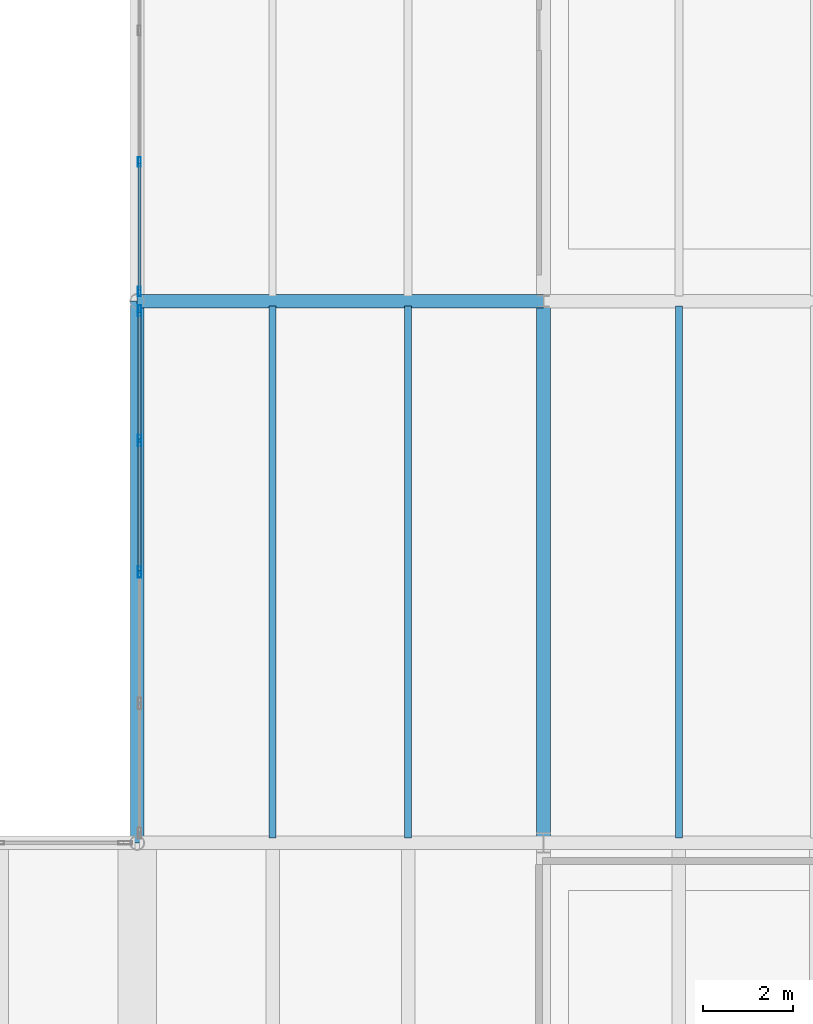
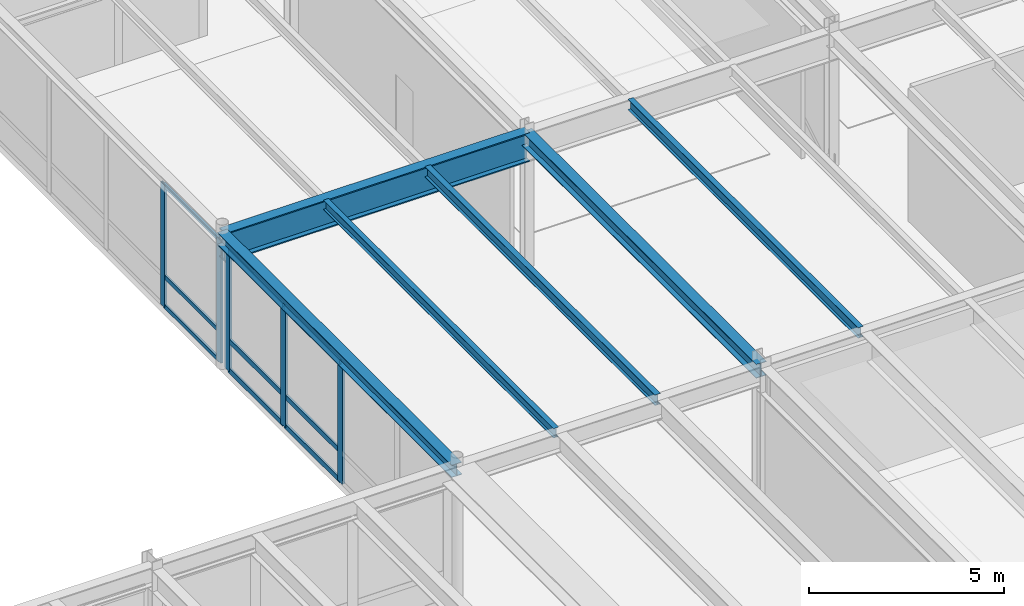
# One storey, part 43 of 127: 14 members, 6 beams, 2 elements without a shape of their own.
"""IFC4 building model written with IfcOpenShell, lengths in metres."""

from ifc_helpers import new_model, si_unit, direction, frame, origin, origin_2d, place, context, subcontext, project, spatial, hollow_rectangle, i_section, extrude, material, layer, layer_set, material_profile, profile_set, type_object, element, aggregate, save


model = new_model("IFC4")

# Units and contexts
model_context = context("Model", 3, precision=1e-05, world=origin(), true_north=direction((0.0, 1.0)))
body_context = subcontext(model_context, "Body", "Model", "MODEL_VIEW")
ifc_project = project(units=[si_unit("LENGTHUNIT", "METRE"), si_unit("AREAUNIT", "SQUARE_METRE"), si_unit("VOLUMEUNIT", "CUBIC_METRE"), si_unit("PLANEANGLEUNIT", "RADIAN"), si_unit("MASSUNIT", "GRAM", prefix="KILO")], contexts=[model_context])

# Site, building, storey
site_placement = place(None, origin())
site = spatial("IfcSite", under=ifc_project, at=site_placement, CompositionType="ELEMENT")
building_placement = place(site_placement, origin())
building = spatial("IfcBuilding", under=site, at=building_placement, Name="Montelvaro Courts of Justice", CompositionType="ELEMENT")
storey_placement = place(building_placement, frame((0.0, 0.0, 5.39990234375)))
storey = spatial("IfcBuildingStorey", under=building, at=storey_placement, Name="L01", CompositionType="ELEMENT", Elevation=5.39990234375)

# Beams
ifc_material_1 = material(Name="Steel S355", Category="steel")
ifc_material_profile_1 = material_profile(ifc_material_1, i_section(OverallWidth=0.300048828125, OverallDepth=0.389892578125, WebThickness=0.010986328125, FlangeThickness=0.01904296875, at=origin_2d()), Name="HEA 400")
ifc_profile_set_1 = profile_set([ifc_material_profile_1], Name="Steel S355")
beam_type_1 = type_object("IfcBeamType", Name="Beam_HEA400", PredefinedType="USERDEFINED", material=ifc_profile_set_1)
beam_1_placement = place(storey_placement, frame((99.0, 42.0, 4.025146484375), z_axis=(0.0, 1.0, 0.0), x_axis=(-1.0, 0.0, 0.0)))
element("IfcBeam", 1, at=beam_1_placement, inside=storey, type_object=beam_type_1, Name="Beam B-17 L01", ObjectType="GIRDER", PredefinedType="USERDEFINED", context=body_context, shape_type="SweptSolid", body=[
    extrude(i_section(OverallWidth=0.300048828125, OverallDepth=0.389892578125, WebThickness=0.010986328125, FlangeThickness=0.01904296875, at=origin_2d()), origin(), (0.0, 0.0, 1.0), 12.0),
])
ifc_material_profile_2 = material_profile(ifc_material_1, i_section(OverallWidth=0.300048828125, OverallDepth=0.43994140625, WebThickness=0.011474609375, FlangeThickness=0.02099609375, at=origin_2d()), Name="HEA 450")
ifc_profile_set_2 = profile_set([ifc_material_profile_2], Name="Steel S355")
beam_type_2 = type_object("IfcBeamType", Name="Beam_HEA450", PredefinedType="USERDEFINED", material=ifc_profile_set_2)
beam_2_placement = place(storey_placement, frame((108.0, 42.0, 4.0), z_axis=(0.0, 1.0, 0.0), x_axis=(-1.0, 0.0, 0.0)))
element("IfcBeam", 2, at=beam_2_placement, inside=storey, type_object=beam_type_2, Name="Beam B-18 L01", ObjectType="GIRDER", PredefinedType="USERDEFINED", context=body_context, shape_type="SweptSolid", body=[
    extrude(i_section(OverallWidth=0.300048828125, OverallDepth=0.43994140625, WebThickness=0.011474609375, FlangeThickness=0.02099609375, at=origin_2d()), origin(), (0.0, 0.0, 1.0), 12.0),
])
ifc_material_profile_3 = material_profile(ifc_material_1, i_section(OverallWidth=0.300048828125, OverallDepth=0.89990234375, WebThickness=0.0185546875, FlangeThickness=0.034912109375, at=origin_2d()), Name="HEB 900")
ifc_profile_set_3 = profile_set([ifc_material_profile_3], Name="Steel S355")
beam_type_3 = type_object("IfcBeamType", Name="Beam_HEB900", PredefinedType="USERDEFINED", material=ifc_profile_set_3)
beam_3_placement = place(storey_placement, frame((99.0, 54.0, 3.77001953125), z_axis=(1.0, 0.0, 0.0), x_axis=(0.0, 1.0, 0.0)))
element("IfcBeam", 3, at=beam_3_placement, inside=storey, type_object=beam_type_3, Name="Beam B-30 L01", ObjectType="GIRDER", PredefinedType="USERDEFINED", context=body_context, shape_type="SweptSolid", body=[
    extrude(i_section(OverallWidth=0.300048828125, OverallDepth=0.89990234375, WebThickness=0.0185546875, FlangeThickness=0.034912109375, at=origin_2d()), origin(), (0.0, 0.0, 1.0), 9.0),
])
ifc_material_profile_4 = material_profile(ifc_material_1, i_section(OverallWidth=0.14990234375, OverallDepth=0.300048828125, WebThickness=0.007080078125, FlangeThickness=0.0107421875, at=origin_2d()), Name="IPE 300")
ifc_profile_set_4 = profile_set([ifc_material_profile_4], Name="Steel S355")
beam_type_4 = type_object("IfcBeamType", Name="Beam_IPE300", PredefinedType="BEAM", material=ifc_profile_set_4)
beam_4_placement = place(storey_placement, frame((102.0, 42.110107421875, 4.070068359375), z_axis=(0.0, 1.0, 0.0), x_axis=(-1.0, 0.0, 0.0)))
element("IfcBeam", 4, at=beam_4_placement, inside=storey, type_object=beam_type_4, Name="Beam B-05 L01", PredefinedType="BEAM", context=body_context, shape_type="SweptSolid", body=[
    extrude(i_section(OverallWidth=0.14990234375, OverallDepth=0.300048828125, WebThickness=0.007080078125, FlangeThickness=0.0107421875, at=origin_2d()), origin(), (0.0, 0.0, 1.0), 11.77978515625),
])
ifc_material_profile_5 = material_profile(ifc_material_1, i_section(OverallWidth=0.159912109375, OverallDepth=0.330078125, WebThickness=0.007568359375, FlangeThickness=0.011474609375, at=origin_2d()), Name="IPE 330")
ifc_profile_set_5 = profile_set([ifc_material_profile_5], Name="Steel S355")
beam_type_5 = type_object("IfcBeamType", Name="Beam_IPE330", PredefinedType="BEAM", material=ifc_profile_set_5)
for number, where, z_axis, x_axis, name in (
    (5, (105.0, 42.110107421875, 4.05517578125), (0.0, 1.0, 0.0), (-1.0, 0.0, 0.0), "Beam B-06 L01"),
    (6, (111.0, 42.110107421875, 4.05517578125), (0.0, 1.0, 0.0), (-1.0, 0.0, 0.0), "Beam B-06 L01"),
):
    element("IfcBeam", number, at=place(storey_placement, frame(where, z_axis=z_axis, x_axis=x_axis)), inside=storey, type_object=beam_type_5, Name=name, PredefinedType="BEAM", context=body_context, shape_type="SweptSolid", body=[
        extrude(i_section(OverallWidth=0.159912109375, OverallDepth=0.330078125, WebThickness=0.007568359375, FlangeThickness=0.011474609375, at=origin_2d()), origin(), (0.0, 0.0, 1.0), 11.77978515625),
    ])

# Curtain wall, members
ifc_material_2 = material(Name="Anodised aluminium EN AW-6063", Category="aluminium")
ifc_layer = layer(ifc_material_2, 0.159912109375)
ifc_layer_set = layer_set([ifc_layer], Name="Anodised aluminium EN AW-6063")
curtain_wall_type = type_object("IfcCurtainWallType", Name="CurtainWall_16_1165x418", PredefinedType="USERDEFINED", material=ifc_layer_set)
curtain_wall_1_placement = place(storey_placement, origin())
curtain_wall_1 = element("IfcCurtainWall", 7, at=curtain_wall_1_placement, inside=storey, type_object=curtain_wall_type, Name="Curtain Wall CW-16 (L01)", ObjectType="CURTAIN WALL", PredefinedType="USERDEFINED")
ifc_material_profile_6 = material_profile(ifc_material_2, hollow_rectangle(XDim=0.06494140625, YDim=0.2099609375, WallThickness=0.0048828125, at=origin_2d()), Name="ALU-M 65x210")
ifc_profile_set_6 = profile_set([ifc_material_profile_6], Name="Anodised aluminium EN AW-6063")
member_type_1 = type_object("IfcMemberType", Name="CurtainWall_Mullion_65x210", PredefinedType="MULLION", material=ifc_profile_set_6)
member_1_placement = place(storey_placement, frame((99.050048828125, 57.08447265625, 0.0), z_axis=(0.0, 0.0, 1.0), x_axis=(1.0, 0.0, 0.0)))
member_1 = element("IfcMember", 8, at=member_1_placement, type_object=member_type_1, Name="CW-16 mullion 4", PredefinedType="MULLION", context=body_context, shape_type="SweptSolid", body=[
    extrude(hollow_rectangle(XDim=0.06494140625, YDim=0.2099609375, WallThickness=0.0048828125, at=origin_2d()), origin(), (0.0, 0.0, 1.0), 3.8251953125),
])
member_2_placement = place(storey_placement, frame((99.050048828125, 54.20947265625, 0.0), z_axis=(0.0, 0.0, 1.0), x_axis=(1.0, 0.0, 0.0)))
member_2 = element("IfcMember", 9, at=member_2_placement, type_object=member_type_1, Name="CW-16 mullion 5", PredefinedType="MULLION", context=body_context, shape_type="SweptSolid", body=[
    extrude(hollow_rectangle(XDim=0.06494140625, YDim=0.2099609375, WallThickness=0.0048828125, at=origin_2d()), origin(), (0.0, 0.0, 1.0), 3.8251953125),
])

curtain_wall_2_placement = place(storey_placement, origin())
curtain_wall_2 = element("IfcCurtainWall", 10, at=curtain_wall_2_placement, inside=storey, type_object=curtain_wall_type, Name="Curtain Wall CW-16 (L01)", ObjectType="CURTAIN WALL", PredefinedType="USERDEFINED")
ifc_material_profile_7 = material_profile(ifc_material_2, hollow_rectangle(XDim=0.074951171875, YDim=0.25, WallThickness=0.005615234375, at=origin_2d()), Name="ALU-M 75x250")
ifc_profile_set_7 = profile_set([ifc_material_profile_7], Name="Anodised aluminium EN AW-6063")
member_type_2 = type_object("IfcMemberType", Name="CurtainWall_Mullion_75x250", PredefinedType="MULLION", material=ifc_profile_set_7)
member_3_placement = place(storey_placement, frame((99.050048828125, 53.78564453125, 0.0), z_axis=(0.0, 0.0, 1.0), x_axis=(1.0, 0.0, 0.0)))
member_3 = element("IfcMember", 11, at=member_3_placement, type_object=member_type_2, Name="CW-16 mullion 1", PredefinedType="MULLION", context=body_context, shape_type="SweptSolid", body=[
    extrude(hollow_rectangle(XDim=0.074951171875, YDim=0.25, WallThickness=0.005615234375, at=origin_2d()), origin(), (0.0, 0.0, 1.0), 3.735107421875),
])
member_4_placement = place(storey_placement, frame((99.050048828125, 50.91162109375, 0.0), z_axis=(0.0, 0.0, 1.0), x_axis=(1.0, 0.0, 0.0)))
member_4 = element("IfcMember", 12, at=member_4_placement, type_object=member_type_2, Name="CW-16 mullion 2", PredefinedType="MULLION", context=body_context, shape_type="SweptSolid", body=[
    extrude(hollow_rectangle(XDim=0.074951171875, YDim=0.25, WallThickness=0.005615234375, at=origin_2d()), origin(), (0.0, 0.0, 1.0), 3.735107421875),
])
member_5_placement = place(storey_placement, frame((99.050048828125, 48.0, 0.0), z_axis=(0.0, 0.0, 1.0), x_axis=(1.0, 0.0, 0.0)))
member_5 = element("IfcMember", 13, at=member_5_placement, type_object=member_type_2, Name="CW-16 mullion 3", PredefinedType="MULLION", context=body_context, shape_type="SweptSolid", body=[
    extrude(hollow_rectangle(XDim=0.074951171875, YDim=0.25, WallThickness=0.005615234375, at=origin_2d()), origin(), (0.0, 0.0, 1.0), 3.735107421875),
])

# Member
ifc_material_profile_8 = material_profile(ifc_material_2, hollow_rectangle(XDim=0.06005859375, YDim=0.1298828125, WallThickness=0.00390625, at=origin_2d()), Name="ALU-T 60x130")
ifc_profile_set_8 = profile_set([ifc_material_profile_8], Name="Anodised aluminium EN AW-6063")
member_type_3 = type_object("IfcMemberType", Name="CurtainWall_Transom_60x130", PredefinedType="USERDEFINED", material=ifc_profile_set_8)
member_6_placement = place(storey_placement, frame((99.050048828125, 57.052001953125, 0.030029296875), z_axis=(0.0, -1.0, 0.0), x_axis=(1.0, 0.0, 0.0)))
member_6 = element("IfcMember", 14, at=member_6_placement, type_object=member_type_3, Name="CW-16 transom 4.1", ObjectType="TRANSOM", PredefinedType="USERDEFINED", context=body_context, shape_type="SweptSolid", body=[
    extrude(hollow_rectangle(XDim=0.06005859375, YDim=0.1298828125, WallThickness=0.00390625, at=origin_2d()), origin(), (0.0, 0.0, 1.0), 2.81005859375),
])

member_7_placement = place(storey_placement, frame((99.050048828125, 57.052001953125, 0.9501953125), z_axis=(0.0, -1.0, 0.0), x_axis=(1.0, 0.0, 0.0)))
member_7 = element("IfcMember", 15, at=member_7_placement, type_object=member_type_3, Name="CW-16 transom 4.2", ObjectType="TRANSOM", PredefinedType="USERDEFINED", context=body_context, shape_type="SweptSolid", body=[
    extrude(hollow_rectangle(XDim=0.06005859375, YDim=0.1298828125, WallThickness=0.00390625, at=origin_2d()), origin(), (0.0, 0.0, 1.0), 2.81005859375),
])

member_8_placement = place(storey_placement, frame((99.050048828125, 57.052001953125, 3.795166015625), z_axis=(0.0, -1.0, 0.0), x_axis=(1.0, 0.0, 0.0)))
member_8 = element("IfcMember", 16, at=member_8_placement, type_object=member_type_3, Name="CW-16 transom 4.3", ObjectType="TRANSOM", PredefinedType="USERDEFINED", context=body_context, shape_type="SweptSolid", body=[
    extrude(hollow_rectangle(XDim=0.06005859375, YDim=0.1298828125, WallThickness=0.00390625, at=origin_2d()), origin(), (0.0, 0.0, 1.0), 2.81005859375),
])

aggregate(curtain_wall_1, [member_1, member_2, member_6, member_7, member_8])

ifc_material_profile_9 = material_profile(ifc_material_2, hollow_rectangle(XDim=0.06005859375, YDim=0.159912109375, WallThickness=0.00439453125, at=origin_2d()), Name="ALU-T 60x160")
ifc_profile_set_9 = profile_set([ifc_material_profile_9], Name="Anodised aluminium EN AW-6063")
member_type_4 = type_object("IfcMemberType", Name="CurtainWall_Transom_60x160", PredefinedType="USERDEFINED", material=ifc_profile_set_9)
member_9_placement = place(storey_placement, frame((99.050048828125, 53.748046875, 0.030029296875), z_axis=(0.0, -1.0, 0.0), x_axis=(1.0, 0.0, 0.0)))
member_9 = element("IfcMember", 17, at=member_9_placement, type_object=member_type_4, Name="CW-16 transom 1.1", ObjectType="TRANSOM", PredefinedType="USERDEFINED", context=body_context, shape_type="SweptSolid", body=[
    extrude(hollow_rectangle(XDim=0.06005859375, YDim=0.159912109375, WallThickness=0.00439453125, at=origin_2d()), origin(), (0.0, 0.0, 1.0), 2.799072265625),
])

member_10_placement = place(storey_placement, frame((99.050048828125, 53.748046875, 0.9501953125), z_axis=(0.0, -1.0, 0.0), x_axis=(1.0, 0.0, 0.0)))
member_10 = element("IfcMember", 18, at=member_10_placement, type_object=member_type_4, Name="CW-16 transom 1.2", ObjectType="TRANSOM", PredefinedType="USERDEFINED", context=body_context, shape_type="SweptSolid", body=[
    extrude(hollow_rectangle(XDim=0.06005859375, YDim=0.159912109375, WallThickness=0.00439453125, at=origin_2d()), origin(), (0.0, 0.0, 1.0), 2.799072265625),
])

member_11_placement = place(storey_placement, frame((99.050048828125, 53.748046875, 3.705078125), z_axis=(0.0, -1.0, 0.0), x_axis=(1.0, 0.0, 0.0)))
member_11 = element("IfcMember", 19, at=member_11_placement, type_object=member_type_4, Name="CW-16 transom 1.3", ObjectType="TRANSOM", PredefinedType="USERDEFINED", context=body_context, shape_type="SweptSolid", body=[
    extrude(hollow_rectangle(XDim=0.06005859375, YDim=0.159912109375, WallThickness=0.00439453125, at=origin_2d()), origin(), (0.0, 0.0, 1.0), 2.799072265625),
])

member_12_placement = place(storey_placement, frame((99.050048828125, 50.8740234375, 0.030029296875), z_axis=(0.0, -1.0, 0.0), x_axis=(1.0, 0.0, 0.0)))
member_12 = element("IfcMember", 20, at=member_12_placement, type_object=member_type_4, Name="CW-16 transom 2.1", ObjectType="TRANSOM", PredefinedType="USERDEFINED", context=body_context, shape_type="SweptSolid", body=[
    extrude(hollow_rectangle(XDim=0.06005859375, YDim=0.159912109375, WallThickness=0.00439453125, at=origin_2d()), origin(), (0.0, 0.0, 1.0), 2.83642578125),
])

member_13_placement = place(storey_placement, frame((99.050048828125, 50.8740234375, 0.9501953125), z_axis=(0.0, -1.0, 0.0), x_axis=(1.0, 0.0, 0.0)))
member_13 = element("IfcMember", 21, at=member_13_placement, type_object=member_type_4, Name="CW-16 transom 2.2", ObjectType="TRANSOM", PredefinedType="USERDEFINED", context=body_context, shape_type="SweptSolid", body=[
    extrude(hollow_rectangle(XDim=0.06005859375, YDim=0.159912109375, WallThickness=0.00439453125, at=origin_2d()), origin(), (0.0, 0.0, 1.0), 2.83642578125),
])

member_14_placement = place(storey_placement, frame((99.050048828125, 50.8740234375, 3.705078125), z_axis=(0.0, -1.0, 0.0), x_axis=(1.0, 0.0, 0.0)))
member_14 = element("IfcMember", 22, at=member_14_placement, type_object=member_type_4, Name="CW-16 transom 2.3", ObjectType="TRANSOM", PredefinedType="USERDEFINED", context=body_context, shape_type="SweptSolid", body=[
    extrude(hollow_rectangle(XDim=0.06005859375, YDim=0.159912109375, WallThickness=0.00439453125, at=origin_2d()), origin(), (0.0, 0.0, 1.0), 2.83642578125),
])

aggregate(curtain_wall_2, [member_3, member_4, member_5, member_9, member_10, member_11, member_12, member_13, member_14])

save(model, "model.ifc")
